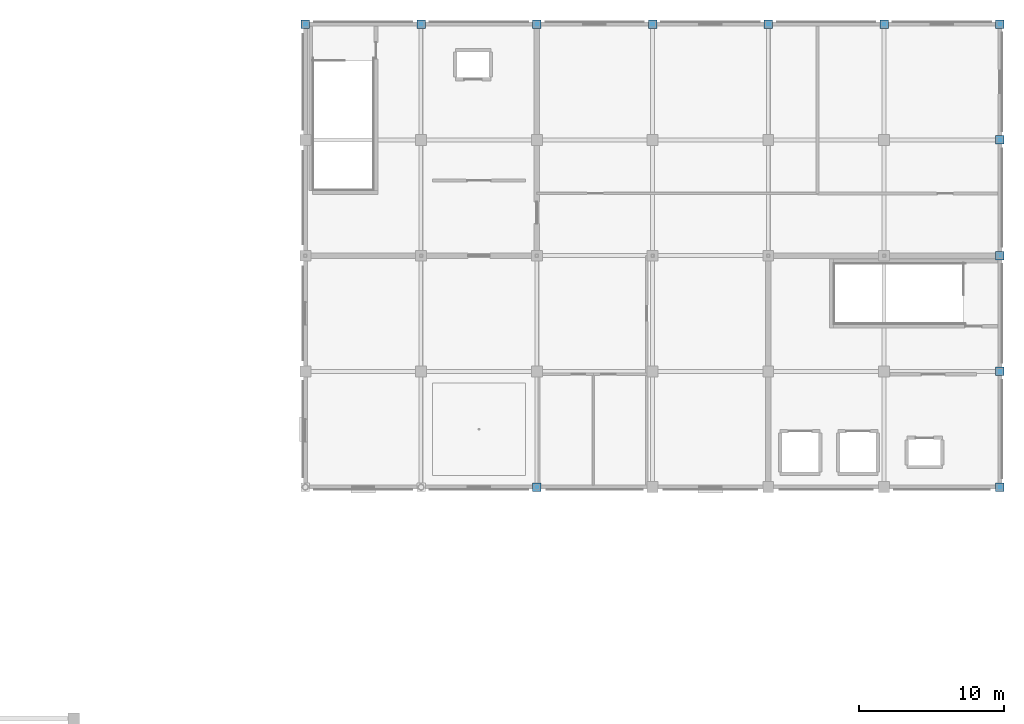
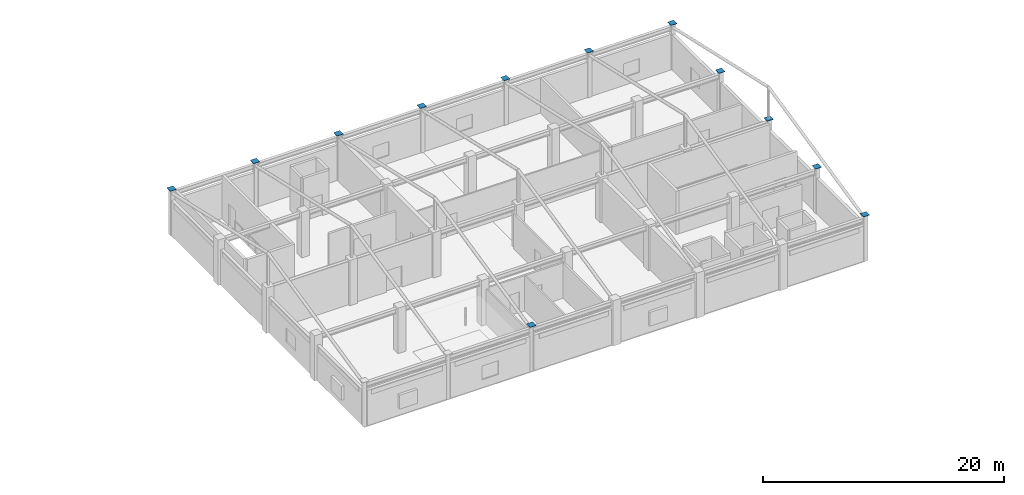
# One storey, part 15 of 16: 12 discrete accessories.
"""IFC4 building model written with IfcOpenShell, lengths in metres."""

from ifc_helpers import new_model, si_unit, direction, frame, origin, origin_2d, place, context, subcontext, project, spatial, rectangle, extrude, material, layer, layer_set, type_object, element, save


model = new_model("IFC4")

# Units and contexts
model_context = context("Model", 3, precision=1e-05, world=origin(), true_north=direction((0.0, 1.0)))
body_context = subcontext(model_context, "Body", "Model", "MODEL_VIEW")
ifc_project = project(units=[si_unit("LENGTHUNIT", "METRE"), si_unit("AREAUNIT", "SQUARE_METRE"), si_unit("VOLUMEUNIT", "CUBIC_METRE"), si_unit("PLANEANGLEUNIT", "RADIAN"), si_unit("MASSUNIT", "GRAM", prefix="KILO")], contexts=[model_context])

# Site, building, storey
site_placement = place(None, origin())
site = spatial("IfcSite", under=ifc_project, at=site_placement, CompositionType="ELEMENT")
building_placement = place(site_placement, origin())
building = spatial("IfcBuilding", under=site, at=building_placement, Name="Solmirada Galleria", CompositionType="ELEMENT")
storey_placement = place(building_placement, frame((0.0, 0.0, 32.89990234375)))
storey = spatial("IfcBuildingStorey", under=building, at=storey_placement, Name="L07", CompositionType="ELEMENT", Elevation=32.89990234375)

# Discrete accessories
ifc_material = material(Name="Steel S355 / ASTM A572 Grade 50", Category="steel")
ifc_layer = layer(ifc_material, 0.031982421875)
ifc_layer_set = layer_set([ifc_layer], Name="Steel S355 / ASTM A572 Grade 50")
discrete_accessory_type = type_object("IfcDiscreteAccessoryType", Name="ACC-COL-CAP", PredefinedType="BRACKET", material=ifc_layer_set)
for number, where, z_axis, x_axis, name in (
    (1, (128.0, 120.0, 4.59423828125), (0.0, 0.0, 1.0), (1.0, 0.0, 0.0), "Hollow column cap plate L07-1103"),
    (2, (136.0, 120.0, 4.59423828125), (0.0, 0.0, 1.0), (1.0, 0.0, 0.0), "Hollow column cap plate L07-1204"),
    (3, (144.0, 88.0, 4.59423828125), (0.0, 0.0, 1.0), (1.0, 0.0, 0.0), "Hollow column cap plate L07-1254"),
    (4, (144.0, 120.0, 4.59423828125), (0.0, 0.0, 1.0), (1.0, 0.0, 0.0), "Hollow column cap plate L07-1290"),
    (5, (152.0, 120.0, 4.59423828125), (0.0, 0.0, 1.0), (1.0, 0.0, 0.0), "Hollow column cap plate L07-1363"),
    (6, (160.0, 120.0, 4.59423828125), (0.0, 0.0, 1.0), (1.0, 0.0, 0.0), "Hollow column cap plate L07-1436"),
    (7, (168.0, 120.0, 4.59423828125), (0.0, 0.0, 1.0), (1.0, 0.0, 0.0), "Hollow column cap plate L07-1509"),
    (8, (176.0, 88.0, 4.59423828125), (0.0, 0.0, 1.0), (1.0, 0.0, 0.0), "Hollow column cap plate L07-1546"),
    (9, (176.0, 96.0, 4.59423828125), (0.0, 0.0, 1.0), (1.0, 0.0, 0.0), "Hollow column cap plate L07-1555"),
    (10, (176.0, 104.0, 4.59423828125), (0.0, 0.0, 1.0), (1.0, 0.0, 0.0), "Hollow column cap plate L07-1564"),
    (11, (176.0, 112.0, 4.59423828125), (0.0, 0.0, 1.0), (1.0, 0.0, 0.0), "Hollow column cap plate L07-1573"),
    (12, (176.0, 120.0, 4.59423828125), (0.0, 0.0, 1.0), (1.0, 0.0, 0.0), "Hollow column cap plate L07-1582"),
):
    element("IfcDiscreteAccessory", number, at=place(storey_placement, frame(where, z_axis=z_axis, x_axis=x_axis)), inside=storey, type_object=discrete_accessory_type, Name=name, PredefinedType="BRACKET", context=body_context, shape_type="SweptSolid", body=[
        extrude(rectangle(XDim=0.580078125, YDim=0.580078125, at=origin_2d()), origin(), (0.0, 0.0, 1.0), 0.035888671875),
    ])

save(model, "model.ifc")
